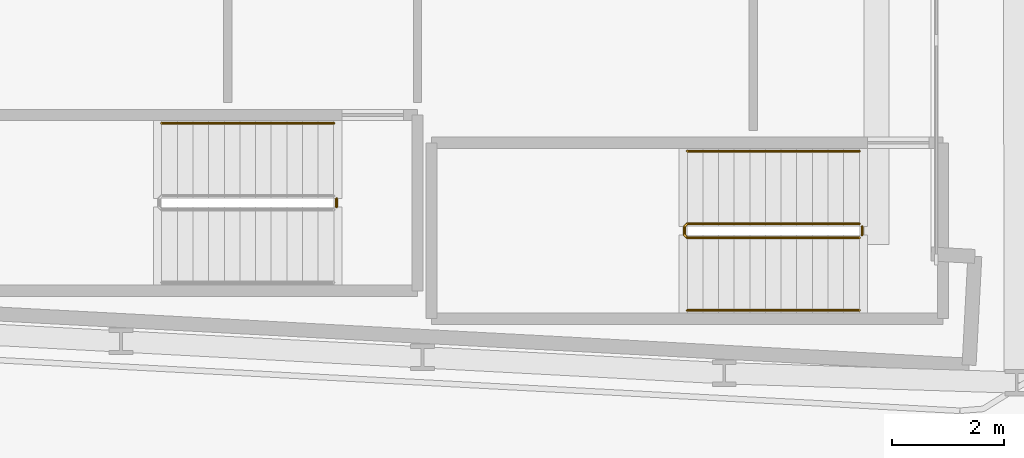
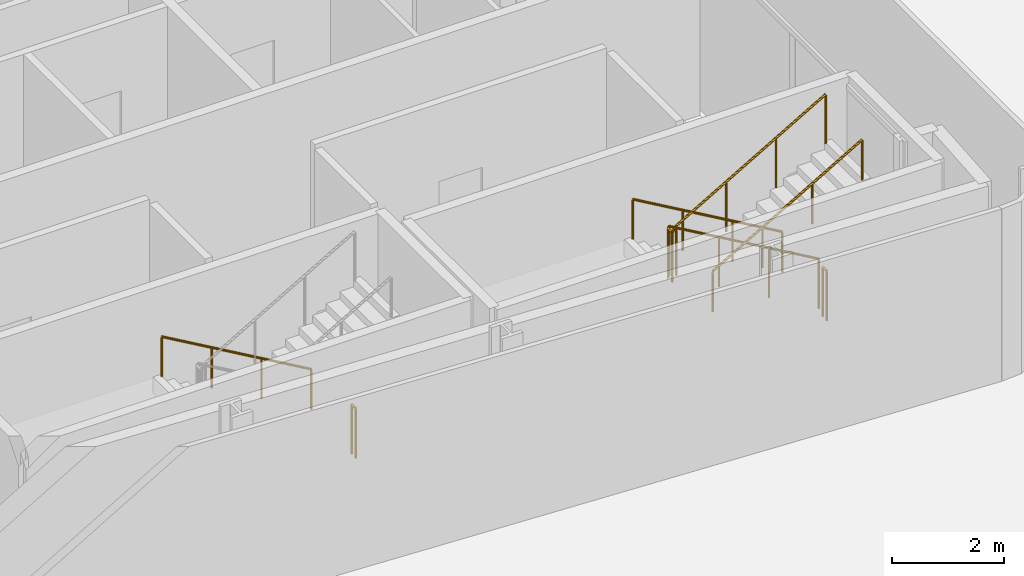
# One storey, part 23 of 27: 6 railings.
"""IFC4 building model written with IfcOpenShell, lengths in metres."""

from ifc_helpers import new_model, si_unit, direction, frame, origin, origin_2d, place, context, subcontext, project, spatial, circle, extrude, material, type_object, element, save


model = new_model("IFC4")

# Units and contexts
model_context = context("Model", 3, precision=1e-05, world=origin(), true_north=direction((0.0, 1.0)))
body_context = subcontext(model_context, "Body", "Model", "MODEL_VIEW")
ifc_project = project(units=[si_unit("LENGTHUNIT", "METRE"), si_unit("AREAUNIT", "SQUARE_METRE"), si_unit("VOLUMEUNIT", "CUBIC_METRE"), si_unit("PLANEANGLEUNIT", "RADIAN"), si_unit("MASSUNIT", "GRAM", prefix="KILO")], contexts=[model_context])

# Site, building, storey
site_placement = place(None, origin())
site = spatial("IfcSite", under=ifc_project, at=site_placement, CompositionType="ELEMENT")
building_placement = place(site_placement, origin())
building = spatial("IfcBuilding", under=site, at=building_placement, Name="Kheshtan School and Residences Tower", CompositionType="ELEMENT")
storey_placement = place(building_placement, frame((0.0, 0.0, 30.5)))
storey = spatial("IfcBuildingStorey", under=building, at=storey_placement, Name="L06", CompositionType="ELEMENT", Elevation=30.5)

# Railings
ifc_material_1 = material(Name="Stainless steel balustrade", Category="steel")
railing_type_1 = type_object("IfcRailingType", Name="Stair guard 1100", PredefinedType="GUARDRAIL", material=ifc_material_1)
railing_1_placement = place(storey_placement, frame((87.820068359375, 23.949951171875, 0.16259765625)))
element("IfcRailing", 1, at=railing_1_placement, inside=storey, type_object=railing_type_1, Name="L06 ST4 stair guard 1", PredefinedType="GUARDRAIL", context=body_context, shape_type="SweptSolid", body=[
    extrude(circle(Radius=0.02392578125, at=origin_2d()), frame((0.0, 0.0, 1.076171875), z_axis=(-0.864920483161, 0.0, 0.501908913857), x_axis=(0.0, -1.0, 0.0)), (0.0, 0.0, 1.0), 3.56103515625),
    extrude(circle(Radius=0.02392578125, at=origin_2d()), frame((-3.080078125, 0.0, 2.86328125), z_axis=(-0.707106781187, -0.707106781187, 0.0), x_axis=(0.707106781187, -0.707106781187, 0.0)), (0.0, 0.0, 1.0), 0.07080078125),
    extrude(circle(Radius=0.02392578125, at=origin_2d()), frame((-3.130126953125, -0.050048828125, 2.86328125), z_axis=(0.0, -1.0, 0.0), x_axis=(1.0, 0.0, 0.0)), (0.0, 0.0, 1.0), 0.14990234375),
    extrude(circle(Radius=0.02392578125, at=origin_2d()), frame((-3.130126953125, -0.199951171875, 2.86328125), z_axis=(0.282227285176, -0.282227285176, 0.916894497205), x_axis=(0.707106781187, 0.707106781187, 0.0)), (0.0, 0.0, 1.0), 0.17724609375),
    extrude(circle(Radius=0.02392578125, at=origin_2d()), frame((-3.080078125, -0.25, 3.02587890625), z_axis=(0.864920483161, 0.0, 0.501908913857), x_axis=(0.0, 1.0, 0.0)), (0.0, 0.0, 1.0), 3.56103515625),
    extrude(circle(Radius=0.02099609375, at=origin_2d()), origin(), (0.0, 0.0, 1.0), 1.052001953125),
    extrude(circle(Radius=0.02099609375, at=origin_2d()), frame((-1.026611328125, 0.0, 0.595703125)), (0.0, 0.0, 1.0), 1.052001953125),
    extrude(circle(Radius=0.02099609375, at=origin_2d()), frame((-2.053466796875, 0.0, 1.191650390625)), (0.0, 0.0, 1.0), 1.052001953125),
    extrude(circle(Radius=0.02099609375, at=origin_2d()), frame((-3.080078125, 0.0, 1.787353515625)), (0.0, 0.0, 1.0), 1.052001953125),
    extrude(circle(Radius=0.02099609375, at=origin_2d()), frame((-3.130126953125, -0.050048828125, 1.787353515625)), (0.0, 0.0, 1.0), 1.052001953125),
    extrude(circle(Radius=0.02099609375, at=origin_2d()), frame((-3.130126953125, -0.199951171875, 1.787353515625)), (0.0, 0.0, 1.0), 1.052001953125),
    extrude(circle(Radius=0.02099609375, at=origin_2d()), frame((-3.080078125, -0.25, 1.949951171875)), (0.0, 0.0, 1.0), 1.052001953125),
    extrude(circle(Radius=0.02099609375, at=origin_2d()), frame((-2.053466796875, -0.25, 2.545654296875)), (0.0, 0.0, 1.0), 1.052001953125),
    extrude(circle(Radius=0.02099609375, at=origin_2d()), frame((-1.026611328125, -0.25, 3.1416015625)), (0.0, 0.0, 1.0), 1.052001953125),
    extrude(circle(Radius=0.02099609375, at=origin_2d()), frame((0.0, -0.25, 3.7373046875)), (0.0, 0.0, 1.0), 1.052001953125),
])
for number, where, name in (
    (2, (87.8701171875, 23.89990234375, 0.0), "L06 ST4 stair guard 2"),
    (3, (78.4599609375, 24.39990234375, 0.0), "L06 ST5 stair guard 2"),
):
    element("IfcRailing", number, at=place(storey_placement, frame(where)), inside=storey, type_object=railing_type_1, Name=name, PredefinedType="GUARDRAIL", context=body_context, shape_type="SweptSolid", body=[
        extrude(circle(Radius=0.02392578125, at=origin_2d()), frame((0.0, 0.0, 1.076171875), z_axis=(0.0, -1.0, 0.0), x_axis=(1.0, 0.0, 0.0)), (0.0, 0.0, 1.0), 0.14990234375),
        extrude(circle(Radius=0.02099609375, at=origin_2d()), origin(), (0.0, 0.0, 1.0), 1.052001953125),
        extrude(circle(Radius=0.02099609375, at=origin_2d()), frame((0.0, -0.14990234375, 0.0)), (0.0, 0.0, 1.0), 1.052001953125),
    ])
ifc_material_2 = material(Name="Stainless steel handrail", Category="steel")
railing_type_2 = type_object("IfcRailingType", Name="Stair handrail 900", PredefinedType="HANDRAIL", material=ifc_material_2)
railing_2_placement = place(storey_placement, frame((87.820068359375, 25.25, 0.16259765625)))
element("IfcRailing", 4, at=railing_2_placement, inside=storey, type_object=railing_type_2, Name="L06 ST4 stair handrail 1", PredefinedType="HANDRAIL", context=body_context, shape_type="SweptSolid", body=[
    extrude(circle(Radius=0.02392578125, at=origin_2d()), frame((0.0, 0.0, 0.8759765625), z_axis=(-0.864920483161, 0.0, 0.501908913857), x_axis=(0.0, -1.0, 0.0)), (0.0, 0.0, 1.0), 3.56103515625),
    extrude(circle(Radius=0.02099609375, at=origin_2d()), origin(), (0.0, 0.0, 1.0), 0.851806640625),
    extrude(circle(Radius=0.02099609375, at=origin_2d()), frame((-1.026611328125, 0.0, 0.595703125)), (0.0, 0.0, 1.0), 0.851806640625),
    extrude(circle(Radius=0.02099609375, at=origin_2d()), frame((-2.053466796875, 0.0, 1.191650390625)), (0.0, 0.0, 1.0), 0.851806640625),
    extrude(circle(Radius=0.02099609375, at=origin_2d()), frame((-3.080078125, 0.0, 1.787353515625)), (0.0, 0.0, 1.0), 0.851806640625),
])
railing_3_placement = place(storey_placement, frame((84.739990234375, 22.39990234375, 2.112548828125)))
element("IfcRailing", 5, at=railing_3_placement, inside=storey, type_object=railing_type_2, Name="L06 ST4 stair handrail 2", PredefinedType="HANDRAIL", context=body_context, shape_type="SweptSolid", body=[
    extrude(circle(Radius=0.02392578125, at=origin_2d()), frame((0.0, 0.0, 0.8759765625), z_axis=(0.864920483161, 0.0, 0.501908913857), x_axis=(0.0, 1.0, 0.0)), (0.0, 0.0, 1.0), 3.56103515625),
    extrude(circle(Radius=0.02099609375, at=origin_2d()), origin(), (0.0, 0.0, 1.0), 0.851806640625),
    extrude(circle(Radius=0.02099609375, at=origin_2d()), frame((1.026611328125, 0.0, 0.595703125)), (0.0, 0.0, 1.0), 0.851806640625),
    extrude(circle(Radius=0.02099609375, at=origin_2d()), frame((2.053466796875, 0.0, 1.191650390625)), (0.0, 0.0, 1.0), 0.851806640625),
    extrude(circle(Radius=0.02099609375, at=origin_2d()), frame((3.080078125, 0.0, 1.787353515625)), (0.0, 0.0, 1.0), 0.851806640625),
])
railing_4_placement = place(storey_placement, frame((78.409912109375, 25.75, 0.16259765625)))
element("IfcRailing", 6, at=railing_4_placement, inside=storey, type_object=railing_type_2, Name="L06 ST5 stair handrail 1", PredefinedType="HANDRAIL", context=body_context, shape_type="SweptSolid", body=[
    extrude(circle(Radius=0.02392578125, at=origin_2d()), frame((0.0, 0.0, 0.8759765625), z_axis=(-0.864903211148, 0.0, 0.501938676878), x_axis=(0.0, -1.0, 0.0)), (0.0, 0.0, 1.0), 3.560791015625),
    extrude(circle(Radius=0.02099609375, at=origin_2d()), origin(), (0.0, 0.0, 1.0), 0.851806640625),
    extrude(circle(Radius=0.02099609375, at=origin_2d()), frame((-1.026611328125, 0.0, 0.595703125)), (0.0, 0.0, 1.0), 0.851806640625),
    extrude(circle(Radius=0.02099609375, at=origin_2d()), frame((-2.05322265625, 0.0, 1.191650390625)), (0.0, 0.0, 1.0), 0.851806640625),
    extrude(circle(Radius=0.02099609375, at=origin_2d()), frame((-3.079833984375, 0.0, 1.787353515625)), (0.0, 0.0, 1.0), 0.851806640625),
])

save(model, "model.ifc")
